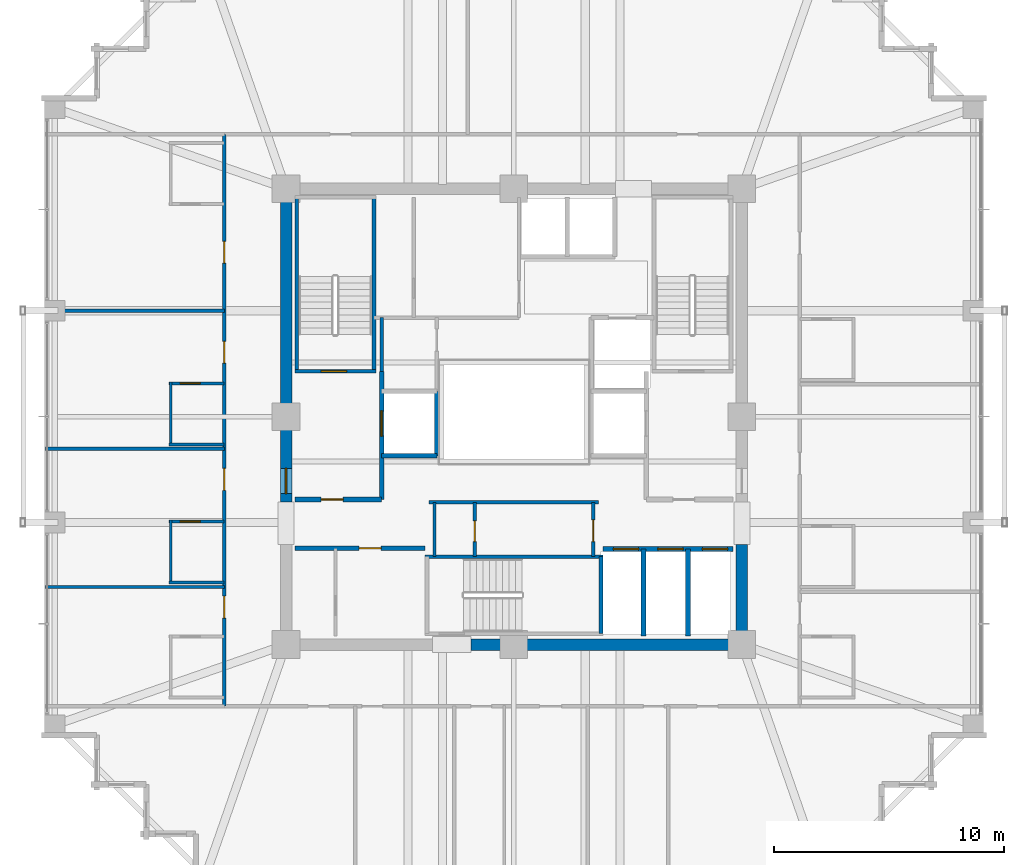
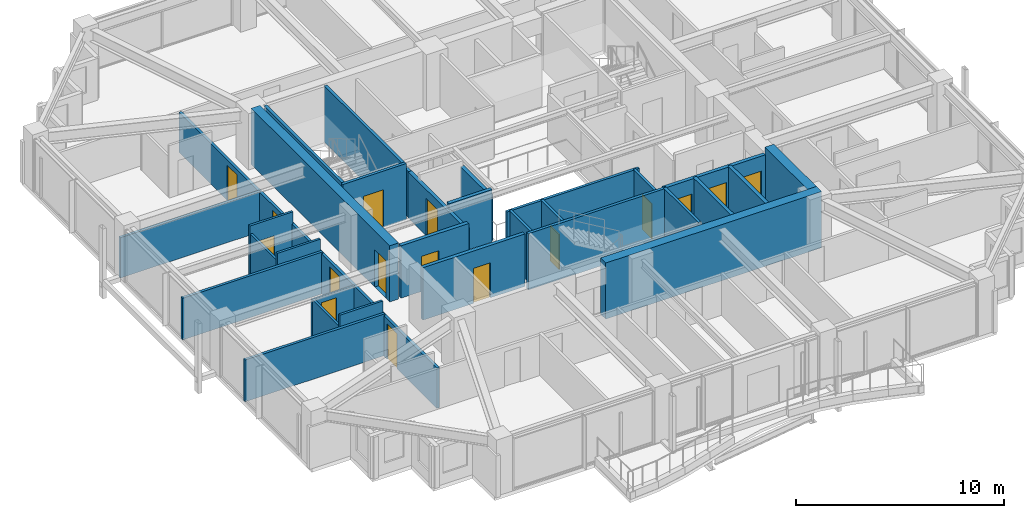
# One storey, part 32 of 37: 31 walls, 16 doors, 16 openings.
"""IFC4 building model written with IfcOpenShell, lengths in metres."""

from ifc_helpers import new_model, si_unit, direction, frame, frame_2d, origin, place, context, subcontext, project, spatial, rectangle, extrude, material, layer, layer_set, type_object, element, fill, save


model = new_model("IFC4")

# Units and contexts
model_context = context("Model", 3, precision=1e-05, world=origin(), true_north=direction((0.0, 1.0)))
body_context = subcontext(model_context, "Body", "Model", "MODEL_VIEW")
ifc_project = project(units=[si_unit("LENGTHUNIT", "METRE"), si_unit("AREAUNIT", "SQUARE_METRE"), si_unit("VOLUMEUNIT", "CUBIC_METRE"), si_unit("PLANEANGLEUNIT", "RADIAN"), si_unit("MASSUNIT", "GRAM", prefix="KILO")], contexts=[model_context])

# Site, building, storey
site_placement = place(None, origin())
site = spatial("IfcSite", under=ifc_project, at=site_placement, CompositionType="ELEMENT")
building_placement = place(site_placement, origin())
building = spatial("IfcBuilding", under=site, at=building_placement, Name="Kolvaren Belvedere", CompositionType="ELEMENT")
storey_placement = place(building_placement, frame((0.0, 0.0, 173.39990234375)))
storey = spatial("IfcBuildingStorey", under=building, at=storey_placement, Name="L50", CompositionType="ELEMENT", Elevation=173.39990234375)

# Walls
ifc_material_1 = material(Name="Concrete C50/60", Category="concrete")
ifc_layer_1 = layer(ifc_material_1, 0.5)
ifc_layer_set_1 = layer_set([ifc_layer_1], Name="Concrete C50/60")
wall_type_1 = type_object("IfcWallType", Name="CW-CORE-500", PredefinedType="SHEAR", material=ifc_layer_set_1)
wall_1_placement = place(storey_placement, frame((10.14990234375, -9.89990234375, 0.0), z_axis=(0.0, 0.0, 1.0), x_axis=(-1.0, 0.0, 0.0)))
element("IfcWall", 1, at=wall_1_placement, inside=storey, type_object=wall_type_1, Name="L50 South Core Shear Wall 1", PredefinedType="SHEAR", context=body_context, shape_type="SweptSolid", body=[
    extrude(rectangle(XDim=12.010009765625, YDim=0.5, at=frame_2d((6.0048828125, 0.0))), origin(), (0.0, 0.0, 1.0), 3.300048828125),
])
wall_2_placement = place(storey_placement, frame((9.89990234375, -9.64990234375, 0.0), z_axis=(0.0, 0.0, 1.0), x_axis=(0.0, 1.0, 0.0)))
element("IfcWall", 2, at=wall_2_placement, inside=storey, type_object=wall_type_1, Name="L50 East Core Shear Wall 1", PredefinedType="SHEAR", context=body_context, shape_type="SweptSolid", body=[
    extrude(rectangle(XDim=4.099853515625, YDim=0.5, at=frame_2d((2.0498046875, 0.0))), origin(), (0.0, 0.0, 1.0), 3.300048828125),
])

# Wall, opening, door
wall_3_placement = place(storey_placement, frame((-9.89990234375, -3.699951171875, 0.0), z_axis=(0.0, 0.0, 1.0), x_axis=(0.0, 1.0, 0.0)))
wall_3 = element("IfcWall", 3, at=wall_3_placement, inside=storey, type_object=wall_type_1, Name="L50 West Core Shear Wall 2", PredefinedType="SHEAR", context=body_context, shape_type="SweptSolid", body=[
    extrude(rectangle(XDim=13.349853515625, YDim=0.5, at=frame_2d((6.6748046875, 0.0))), origin(), (0.0, 0.0, 1.0), 3.300048828125),
])
opening_1_placement = place(wall_3_placement, frame((0.35009765625, 0.0, 0.0)))
opening_1 = element("IfcOpeningElement", 4, at=opening_1_placement, cuts=wall_3, Name="Opening D-FD90", PredefinedType="OPENING", context=body_context, shape_type="SweptSolid", body=[
    extrude(rectangle(XDim=1.10009765625, YDim=2.199951171875, at=frame_2d((0.550048828125, 1.10009765625))), frame((0.0, 0.260009765625, 0.0), z_axis=(0.0, -1.0, 0.0), x_axis=(1.0, 0.0, 0.0)), (0.0, 0.0, 1.0), 0.52001953125),
])
ifc_material_2 = material(Name="Painted hollow stainless steel", Category="steel")
door_type_1 = type_object("IfcDoorType", Name="DR-FD90-1100", OperationType="NOTDEFINED", PredefinedType="DOOR", material=ifc_material_2)
door_1_placement = place(opening_1_placement, origin())
door_1 = element("IfcDoor", 5, at=door_1_placement, inside=storey, type_object=door_type_1, Name="L50 West Firefighting Lobby Fire Door", OperationType="SINGLE_SWING_LEFT", OverallHeight=2.199951171875, OverallWidth=1.10009765625, PredefinedType="DOOR", context=body_context, shape_type="SweptSolid", body=[
    extrude(rectangle(XDim=1.10009765625, YDim=2.199951171875, at=frame_2d((0.550048828125, 1.10009765625))), frame((0.0, 0.02490234375, 0.0), z_axis=(0.0, -1.0, 0.0), x_axis=(1.0, 0.0, 0.0)), (0.0, 0.0, 1.0), 0.050048828125),
])
fill(opening_1, door_1)

ifc_material_3 = material(Name="Concrete C50/60", Category="concrete")
ifc_layer_2 = layer(ifc_material_3, 0.159912109375)
ifc_layer_set_2 = layer_set([ifc_layer_2], Name="Concrete C50/60")
wall_type_2 = type_object("IfcWallType", Name="CW-STAIR-160", PredefinedType="SHEAR", material=ifc_layer_set_2)
wall_4_placement = place(storey_placement, frame((-9.52001953125, 1.969970703125, 0.0), z_axis=(0.0, 0.0, 1.0), x_axis=(1.0, 0.0, 0.0)))
wall_4 = element("IfcWall", 6, at=wall_4_placement, inside=storey, type_object=wall_type_2, Name="L50 Stair ST-1 South Shear Wall", PredefinedType="SHEAR", context=body_context, shape_type="SweptSolid", body=[
    extrude(rectangle(XDim=3.52001953125, YDim=0.159912109375, at=frame_2d((1.760009765625, 0.0))), origin(), (0.0, 0.0, 1.0), 3.300048828125),
])
opening_2_placement = place(wall_4_placement, frame((1.14990234375, 0.0, 0.0)))
opening_2 = element("IfcOpeningElement", 7, at=opening_2_placement, cuts=wall_4, Name="Opening D-FD90", PredefinedType="OPENING", context=body_context, shape_type="SweptSolid", body=[
    extrude(rectangle(XDim=1.10009765625, YDim=2.199951171875, at=frame_2d((0.550048828125, 1.10009765625))), frame((0.0, 0.08984375, 0.0), z_axis=(0.0, -1.0, 0.0), x_axis=(1.0, 0.0, 0.0)), (0.0, 0.0, 1.0), 0.179931640625),
])
door_2_placement = place(opening_2_placement, origin())
door_2 = element("IfcDoor", 8, at=door_2_placement, inside=storey, type_object=door_type_1, Name="L50 Stair ST-1 Fire Door", OperationType="SINGLE_SWING_LEFT", OverallHeight=2.199951171875, OverallWidth=1.10009765625, PredefinedType="DOOR", context=body_context, shape_type="SweptSolid", body=[
    extrude(rectangle(XDim=1.10009765625, YDim=2.199951171875, at=frame_2d((0.550048828125, 1.10009765625))), frame((0.0, 0.02490234375, 0.0), z_axis=(0.0, -1.0, 0.0), x_axis=(1.0, 0.0, 0.0)), (0.0, 0.0, 1.0), 0.050048828125),
])
fill(opening_2, door_2)

# Walls
for number, where, z_axis, x_axis, name in (
    (9, (-9.429931640625, 1.969970703125, 0.0), (0.0, 0.0, 1.0), (0.0, 1.0, 0.0), "L50 Stair ST-1 West Shear Wall"),
    (10, (-6.080078125, 1.969970703125, 0.0), (0.0, 0.0, 1.0), (0.0, 1.0, 0.0), "L50 Stair ST-1 East Shear Wall"),
):
    element("IfcWall", number, at=place(storey_placement, frame(where, z_axis=z_axis, x_axis=x_axis)), inside=storey, type_object=wall_type_2, Name=name, PredefinedType="SHEAR", context=body_context, shape_type="SweptSolid", body=[
        extrude(rectangle(XDim=7.56005859375, YDim=0.159912109375, at=frame_2d((3.780029296875, 0.0))), origin(), (0.0, 0.0, 1.0), 3.300048828125),
    ])
wall_5_placement = place(storey_placement, frame((-3.860107421875, -6.080078125, 0.0), z_axis=(0.0, 0.0, 1.0), x_axis=(1.0, 0.0, 0.0)))
element("IfcWall", 11, at=wall_5_placement, inside=storey, type_object=wall_type_2, Name="L50 Stair ST-3 North Shear Wall", PredefinedType="SHEAR", context=body_context, shape_type="SweptSolid", body=[
    extrude(rectangle(XDim=7.72021484375, YDim=0.159912109375, at=frame_2d((3.860107421875, 0.0))), origin(), (0.0, 0.0, 1.0), 3.300048828125),
])
wall_6_placement = place(storey_placement, frame((3.780029296875, -9.429931640625, 0.0), z_axis=(0.0, 0.0, 1.0), x_axis=(0.0, 1.0, 0.0)))
element("IfcWall", 12, at=wall_6_placement, inside=storey, type_object=wall_type_2, Name="L50 Stair ST-3 East Shear Wall", PredefinedType="SHEAR", context=body_context, shape_type="SweptSolid", body=[
    extrude(rectangle(XDim=3.349853515625, YDim=0.159912109375, at=frame_2d((1.6748046875, 0.0))), origin(), (0.0, 0.0, 1.0), 3.300048828125),
])

# Wall, openings, doors
ifc_material_4 = material(Name="Gypsum fire-rated partition assembly", Category="gypsum")
ifc_layer_3 = layer(ifc_material_4, 0.14990234375)
ifc_layer_set_3 = layer_set([ifc_layer_3], Name="Gypsum fire-rated partition assembly")
wall_type_3 = type_object("IfcWallType", Name="WL-CORR-150", PredefinedType="PARTITIONING", material=ifc_layer_set_3)
wall_7_placement = place(storey_placement, frame((-12.580078125, -12.580078125, 0.0), z_axis=(0.0, 0.0, 1.0), x_axis=(0.0, 1.0, 0.0)))
wall_7 = element("IfcWall", 13, at=wall_7_placement, inside=storey, type_object=wall_type_3, Name="L50 West Corridor Wall", PredefinedType="PARTITIONING", context=body_context, shape_type="SweptSolid", body=[
    extrude(rectangle(XDim=24.840087890625, YDim=0.14990234375, at=frame_2d((12.419921875, 0.0))), origin(), (0.0, 0.0, 1.0), 2.369140625),
])
opening_3_placement = place(wall_7_placement, frame((3.831298828125, 0.0, 0.0)))
opening_3 = element("IfcOpeningElement", 14, at=opening_3_placement, cuts=wall_7, Name="Opening D-FD60", PredefinedType="OPENING", context=body_context, shape_type="SweptSolid", body=[
    extrude(rectangle(XDim=0.949951171875, YDim=2.06005859375, at=frame_2d((0.47509765625, 1.030029296875))), frame((0.0, 0.0849609375, 0.0), z_axis=(0.0, -1.0, 0.0), x_axis=(1.0, 0.0, 0.0)), (0.0, 0.0, 1.0), 0.169921875),
])
opening_4_placement = place(wall_7_placement, frame((9.378173828125, 0.0, 0.0)))
opening_4 = element("IfcOpeningElement", 15, at=opening_4_placement, cuts=wall_7, Name="Opening D-FD60", PredefinedType="OPENING", context=body_context, shape_type="SweptSolid", body=[
    extrude(rectangle(XDim=0.949951171875, YDim=2.06005859375, at=frame_2d((0.47509765625, 1.030029296875))), frame((0.0, 0.0849609375, 0.0), z_axis=(0.0, -1.0, 0.0), x_axis=(1.0, 0.0, 0.0)), (0.0, 0.0, 1.0), 0.169921875),
])
opening_5_placement = place(wall_7_placement, frame((14.902587890625, 0.0, 0.0)))
opening_5 = element("IfcOpeningElement", 16, at=opening_5_placement, cuts=wall_7, Name="Opening D-FD60", PredefinedType="OPENING", context=body_context, shape_type="SweptSolid", body=[
    extrude(rectangle(XDim=0.949951171875, YDim=2.06005859375, at=frame_2d((0.47509765625, 1.030029296875))), frame((0.0, 0.0849609375, 0.0), z_axis=(0.0, -1.0, 0.0), x_axis=(1.0, 0.0, 0.0)), (0.0, 0.0, 1.0), 0.169921875),
])
opening_6_placement = place(wall_7_placement, frame((19.24560546875, 0.0, 0.0)))
opening_6 = element("IfcOpeningElement", 17, at=opening_6_placement, cuts=wall_7, Name="Opening D-FD60", PredefinedType="OPENING", context=body_context, shape_type="SweptSolid", body=[
    extrude(rectangle(XDim=0.949951171875, YDim=2.06005859375, at=frame_2d((0.47509765625, 1.030029296875))), frame((0.0, 0.0849609375, 0.0), z_axis=(0.0, -1.0, 0.0), x_axis=(1.0, 0.0, 0.0)), (0.0, 0.0, 1.0), 0.169921875),
])
ifc_material_5 = material(Name="Acoustic white-oak fire door leaf", Category="timber")
door_type_2 = type_object("IfcDoorType", Name="DR-FD60-950", OperationType="NOTDEFINED", PredefinedType="DOOR", material=ifc_material_5)
door_3_placement = place(opening_3_placement, origin())
door_3 = element("IfcDoor", 18, at=door_3_placement, inside=storey, type_object=door_type_2, Name="L50 King Guest Room 5008 Entry Door", OperationType="SINGLE_SWING_LEFT", OverallHeight=2.06005859375, OverallWidth=0.949951171875, PredefinedType="DOOR", context=body_context, shape_type="SweptSolid", body=[
    extrude(rectangle(XDim=0.949951171875, YDim=2.06005859375, at=frame_2d((0.47509765625, 1.030029296875))), frame((0.0, 0.02490234375, 0.0), z_axis=(0.0, -1.0, 0.0), x_axis=(1.0, 0.0, 0.0)), (0.0, 0.0, 1.0), 0.050048828125),
])
fill(opening_3, door_3)
door_4_placement = place(opening_4_placement, origin())
door_4 = element("IfcDoor", 19, at=door_4_placement, inside=storey, type_object=door_type_2, Name="L50 Botanical Hospitality Suite 5009 Entry Door", OperationType="SINGLE_SWING_LEFT", OverallHeight=2.06005859375, OverallWidth=0.949951171875, PredefinedType="DOOR", context=body_context, shape_type="SweptSolid", body=[
    extrude(rectangle(XDim=0.949951171875, YDim=2.06005859375, at=frame_2d((0.47509765625, 1.030029296875))), frame((0.0, 0.02490234375, 0.0), z_axis=(0.0, -1.0, 0.0), x_axis=(1.0, 0.0, 0.0)), (0.0, 0.0, 1.0), 0.050048828125),
])
fill(opening_4, door_4)
door_5_placement = place(opening_5_placement, origin())
door_5 = element("IfcDoor", 20, at=door_5_placement, inside=storey, type_object=door_type_2, Name="L50 King Guest Room 5010 Entry Door", OperationType="SINGLE_SWING_LEFT", OverallHeight=2.06005859375, OverallWidth=0.949951171875, PredefinedType="DOOR", context=body_context, shape_type="SweptSolid", body=[
    extrude(rectangle(XDim=0.949951171875, YDim=2.06005859375, at=frame_2d((0.47509765625, 1.030029296875))), frame((0.0, 0.02490234375, 0.0), z_axis=(0.0, -1.0, 0.0), x_axis=(1.0, 0.0, 0.0)), (0.0, 0.0, 1.0), 0.050048828125),
])
fill(opening_5, door_5)
door_6_placement = place(opening_6_placement, origin())
door_6 = element("IfcDoor", 21, at=door_6_placement, inside=storey, type_object=door_type_2, Name="L50 Botanical Hospitality Suite 5011 Entry Door", OperationType="SINGLE_SWING_LEFT", OverallHeight=2.06005859375, OverallWidth=0.949951171875, PredefinedType="DOOR", context=body_context, shape_type="SweptSolid", body=[
    extrude(rectangle(XDim=0.949951171875, YDim=2.06005859375, at=frame_2d((0.47509765625, 1.030029296875))), frame((0.0, 0.02490234375, 0.0), z_axis=(0.0, -1.0, 0.0), x_axis=(1.0, 0.0, 0.0)), (0.0, 0.0, 1.0), 0.050048828125),
])
fill(opening_6, door_6)

# Wall
ifc_material_6 = material(Name="Gypsum acoustic partition assembly", Category="gypsum")
ifc_layer_4 = layer(ifc_material_6, 0.14990234375)
ifc_layer_set_4 = layer_set([ifc_layer_4], Name="Gypsum acoustic partition assembly")
wall_type_4 = type_object("IfcWallType", Name="WL-PART-150", PredefinedType="PARTITIONING", material=ifc_layer_set_4)
wall_8_placement = place(storey_placement, frame((-3.679931640625, -3.719970703125, 0.0), z_axis=(0.0, 0.0, 1.0), x_axis=(1.0, 0.0, 0.0)))
element("IfcWall", 22, at=wall_8_placement, inside=storey, type_object=wall_type_4, Name="L50 South Core Service North Wall", PredefinedType="PARTITIONING", context=body_context, shape_type="SweptSolid", body=[
    extrude(rectangle(XDim=7.35986328125, YDim=0.14990234375, at=frame_2d((3.679931640625, 0.0))), origin(), (0.0, 0.0, 1.0), 3.080078125),
])

# Wall, opening, door
wall_9_placement = place(storey_placement, frame((3.449951171875, -6.080078125, 0.0), z_axis=(0.0, 0.0, 1.0), x_axis=(0.0, 1.0, 0.0)))
wall_9 = element("IfcWall", 23, at=wall_9_placement, inside=storey, type_object=wall_type_4, Name="L50 South Core Service East Wall", PredefinedType="PARTITIONING", context=body_context, shape_type="SweptSolid", body=[
    extrude(rectangle(XDim=2.360107421875, YDim=0.14990234375, at=frame_2d((1.18017578125, 0.0))), origin(), (0.0, 0.0, 1.0), 3.080078125),
])
opening_7_placement = place(wall_9_placement, frame((0.64990234375, 0.0, 0.0)))
opening_7 = element("IfcOpeningElement", 24, at=opening_7_placement, cuts=wall_9, Name="Opening D-FD60", PredefinedType="OPENING", context=body_context, shape_type="SweptSolid", body=[
    extrude(rectangle(XDim=0.949951171875, YDim=2.06005859375, at=frame_2d((0.47509765625, 1.030029296875))), frame((0.0, 0.0849609375, 0.0), z_axis=(0.0, -1.0, 0.0), x_axis=(1.0, 0.0, 0.0)), (0.0, 0.0, 1.0), 0.169921875),
])
door_7_placement = place(opening_7_placement, origin())
door_7 = element("IfcDoor", 25, at=door_7_placement, inside=storey, type_object=door_type_2, Name="L50 Core Service Room Door", OperationType="SINGLE_SWING_LEFT", OverallHeight=2.06005859375, OverallWidth=0.949951171875, PredefinedType="DOOR", context=body_context, shape_type="SweptSolid", body=[
    extrude(rectangle(XDim=0.949951171875, YDim=2.06005859375, at=frame_2d((0.47509765625, 1.030029296875))), frame((0.0, 0.02490234375, 0.0), z_axis=(0.0, -1.0, 0.0), x_axis=(1.0, 0.0, 0.0)), (0.0, 0.0, 1.0), 0.050048828125),
])
fill(opening_7, door_7)

# Wall
wall_10_placement = place(storey_placement, frame((-3.449951171875, -6.080078125, 0.0), z_axis=(0.0, 0.0, 1.0), x_axis=(0.0, 1.0, 0.0)))
element("IfcWall", 26, at=wall_10_placement, inside=storey, type_object=wall_type_4, Name="L50 South Core Service West Wall", PredefinedType="PARTITIONING", context=body_context, shape_type="SweptSolid", body=[
    extrude(rectangle(XDim=2.360107421875, YDim=0.14990234375, at=frame_2d((1.18017578125, 0.0))), origin(), (0.0, 0.0, 1.0), 3.080078125),
])

# Wall, opening, door
wall_11_placement = place(storey_placement, frame((-1.699951171875, -6.080078125, 0.0), z_axis=(0.0, 0.0, 1.0), x_axis=(0.0, 1.0, 0.0)))
wall_11 = element("IfcWall", 27, at=wall_11_placement, inside=storey, type_object=wall_type_4, Name="L50 Core Service Divider", PredefinedType="PARTITIONING", context=body_context, shape_type="SweptSolid", body=[
    extrude(rectangle(XDim=2.360107421875, YDim=0.14990234375, at=frame_2d((1.18017578125, 0.0))), origin(), (0.0, 0.0, 1.0), 3.080078125),
])
opening_8_placement = place(wall_11_placement, frame((0.64990234375, 0.0, 0.0)))
opening_8 = element("IfcOpeningElement", 28, at=opening_8_placement, cuts=wall_11, Name="Opening D-INT90", PredefinedType="OPENING", context=body_context, shape_type="SweptSolid", body=[
    extrude(rectangle(XDim=0.89990234375, YDim=2.06005859375, at=frame_2d((0.449951171875, 1.030029296875))), frame((0.0, 0.0849609375, 0.0), z_axis=(0.0, -1.0, 0.0), x_axis=(1.0, 0.0, 0.0)), (0.0, 0.0, 1.0), 0.169921875),
])
ifc_material_7 = material(Name="Stained Pacific white oak", Category="timber")
door_type_3 = type_object("IfcDoorType", Name="DR-INT-900", OperationType="NOTDEFINED", PredefinedType="DOOR", material=ifc_material_7)
door_8_placement = place(opening_8_placement, origin())
door_8 = element("IfcDoor", 29, at=door_8_placement, inside=storey, type_object=door_type_3, Name="L50 Telecom Inner Door", OperationType="SINGLE_SWING_RIGHT", OverallHeight=2.06005859375, OverallWidth=0.89990234375, PredefinedType="DOOR", context=body_context, shape_type="SweptSolid", body=[
    extrude(rectangle(XDim=0.89990234375, YDim=2.06005859375, at=frame_2d((0.449951171875, 1.030029296875))), frame((0.0, 0.02490234375, 0.0), z_axis=(0.0, -1.0, 0.0), x_axis=(1.0, 0.0, 0.0)), (0.0, 0.0, 1.0), 0.050048828125),
])
fill(opening_8, door_8)

# Walls
wall_12_placement = place(storey_placement, frame((-5.75, 1.969970703125, 0.0), z_axis=(0.0, 0.0, 1.0), x_axis=(0.0, 1.0, 0.0)))
element("IfcWall", 30, at=wall_12_placement, inside=storey, type_object=wall_type_4, Name="L50 NW Service Room West Wall", PredefinedType="PARTITIONING", context=body_context, shape_type="SweptSolid", body=[
    extrude(rectangle(XDim=2.330078125, YDim=0.14990234375, at=frame_2d((1.1650390625, 0.0))), origin(), (0.0, 0.0, 1.0), 2.715087890625),
])
for number, where, z_axis, x_axis, name in (
    (31, (-20.3798828125, -7.39990234375, 0.0), (0.0, 0.0, 1.0), (1.0, 0.0, 0.0), "L50 West Suite Demising Wall 1"),
    (32, (-20.3798828125, -1.39990234375, 0.0), (0.0, 0.0, 1.0), (1.0, 0.0, 0.0), "L50 West Suite Demising Wall 2"),
):
    element("IfcWall", number, at=place(storey_placement, frame(where, z_axis=z_axis, x_axis=x_axis)), inside=storey, type_object=wall_type_4, Name=name, PredefinedType="PARTITIONING", context=body_context, shape_type="SweptSolid", body=[
        extrude(rectangle(XDim=7.7998046875, YDim=0.14990234375, at=frame_2d((3.89990234375, 0.0))), origin(), (0.0, 0.0, 1.0), 2.453125),
    ])
wall_13_placement = place(storey_placement, frame((-20.3798828125, 4.60009765625, 0.0), z_axis=(0.0, 0.0, 1.0), x_axis=(1.0, 0.0, 0.0)))
element("IfcWall", 33, at=wall_13_placement, inside=storey, type_object=wall_type_4, Name="L50 West Suite Demising Wall 3", PredefinedType="PARTITIONING", context=body_context, shape_type="SweptSolid", body=[
    extrude(rectangle(XDim=7.7998046875, YDim=0.14990234375, at=frame_2d((3.89990234375, 0.0))), origin(), (0.0, 0.0, 1.0), 2.369140625),
])

# Wall, opening, door
ifc_material_8 = material(Name="Concrete C50/60", Category="concrete")
ifc_layer_5 = layer(ifc_material_8, 0.199951171875)
ifc_layer_set_5 = layer_set([ifc_layer_5], Name="Concrete C50/60")
wall_type_5 = type_object("IfcWallType", Name="WL-SHAFT-200", PredefinedType="SOLIDWALL", material=ifc_layer_set_5)
wall_14_placement = place(storey_placement, frame((-9.52001953125, -3.60009765625, 0.0), z_axis=(0.0, 0.0, 1.0), x_axis=(1.0, 0.0, 0.0)))
wall_14 = element("IfcWall", 34, at=wall_14_placement, inside=storey, type_object=wall_type_5, Name="L50 West FSAE Lobby South Wall", PredefinedType="SOLIDWALL", context=body_context, shape_type="SweptSolid", body=[
    extrude(rectangle(XDim=3.77001953125, YDim=0.199951171875, at=frame_2d((1.885009765625, 0.0))), origin(), (0.0, 0.0, 1.0), 3.080078125),
])
opening_9_placement = place(wall_14_placement, frame((1.14990234375, 0.0, 0.0)))
opening_9 = element("IfcOpeningElement", 35, at=opening_9_placement, cuts=wall_14, Name="Opening D-FD60", PredefinedType="OPENING", context=body_context, shape_type="SweptSolid", body=[
    extrude(rectangle(XDim=0.949951171875, YDim=2.06005859375, at=frame_2d((0.47509765625, 1.030029296875))), frame((0.0, 0.10986328125, 0.0), z_axis=(0.0, -1.0, 0.0), x_axis=(1.0, 0.0, 0.0)), (0.0, 0.0, 1.0), 0.219970703125),
])
door_9_placement = place(opening_9_placement, origin())
door_9 = element("IfcDoor", 36, at=door_9_placement, inside=storey, type_object=door_type_2, Name="L50 SW Lobby Fire Door", OperationType="SINGLE_SWING_LEFT", OverallHeight=2.06005859375, OverallWidth=0.949951171875, PredefinedType="DOOR", context=body_context, shape_type="SweptSolid", body=[
    extrude(rectangle(XDim=0.949951171875, YDim=2.06005859375, at=frame_2d((0.47509765625, 1.030029296875))), frame((0.0, 0.02490234375, 0.0), z_axis=(0.0, -1.0, 0.0), x_axis=(1.0, 0.0, 0.0)), (0.0, 0.0, 1.0), 0.050048828125),
])
fill(opening_9, door_9)

wall_15_placement = place(storey_placement, frame((-5.75, -3.60009765625, 0.0), z_axis=(0.0, 0.0, 1.0), x_axis=(0.0, 1.0, 0.0)))
wall_15 = element("IfcWall", 37, at=wall_15_placement, inside=storey, type_object=wall_type_5, Name="L50 FSAE FS1 Landing Wall", PredefinedType="SOLIDWALL", context=body_context, shape_type="SweptSolid", body=[
    extrude(rectangle(XDim=5.570068359375, YDim=0.199951171875, at=frame_2d((2.78515625, 0.0))), origin(), (0.0, 0.0, 1.0), 2.715087890625),
])
opening_10_placement = place(wall_15_placement, frame((2.75, 0.0, 0.0)))
opening_10 = element("IfcOpeningElement", 38, at=opening_10_placement, cuts=wall_15, Name="Opening LD-11", PredefinedType="OPENING", context=body_context, shape_type="SweptSolid", body=[
    extrude(rectangle(XDim=1.10009765625, YDim=2.199951171875, at=frame_2d((0.550048828125, 1.10009765625))), frame((0.0, 0.10986328125, 0.0), z_axis=(0.0, -1.0, 0.0), x_axis=(1.0, 0.0, 0.0)), (0.0, 0.0, 1.0), 0.219970703125),
])
ifc_material_9 = material(Name="Brushed stainless steel", Category="steel")
door_type_4 = type_object("IfcDoorType", Name="DR-LIFT-1100", OperationType="DOUBLE_DOOR_SLIDING", PredefinedType="DOOR", material=ifc_material_9)
door_10_placement = place(opening_10_placement, origin())
door_10 = element("IfcDoor", 39, at=door_10_placement, inside=storey, type_object=door_type_4, Name="L50 Firefighting Lift FS1 Landing Door", OperationType="DOUBLE_DOOR_SLIDING", OverallHeight=2.199951171875, OverallWidth=1.10009765625, PredefinedType="DOOR", context=body_context, shape_type="SweptSolid", body=[
    extrude(rectangle(XDim=1.10009765625, YDim=2.199951171875, at=frame_2d((0.550048828125, 1.10009765625))), frame((0.0, 0.02490234375, 0.0), z_axis=(0.0, -1.0, 0.0), x_axis=(1.0, 0.0, 0.0)), (0.0, 0.0, 1.0), 0.050048828125),
])
fill(opening_10, door_10)

# Walls
wall_16_placement = place(storey_placement, frame((-3.35009765625, -1.699951171875, 0.0), z_axis=(0.0, 0.0, 1.0), x_axis=(0.0, 1.0, 0.0)))
element("IfcWall", 40, at=wall_16_placement, inside=storey, type_object=wall_type_5, Name="L50 FSAE FS1 Back Wall", PredefinedType="SOLIDWALL", context=body_context, shape_type="SweptSolid", body=[
    extrude(rectangle(XDim=2.800048828125, YDim=0.199951171875, at=frame_2d((1.39990234375, 0.0))), origin(), (0.0, 0.0, 1.0), 2.715087890625),
])
wall_17_placement = place(storey_placement, frame((-5.75, -1.699951171875, 0.0), z_axis=(0.0, 0.0, 1.0), x_axis=(1.0, 0.0, 0.0)))
element("IfcWall", 41, at=wall_17_placement, inside=storey, type_object=wall_type_5, Name="L50 FSAE FS1 South Wall", PredefinedType="SOLIDWALL", context=body_context, shape_type="SweptSolid", body=[
    extrude(rectangle(XDim=2.39990234375, YDim=0.199951171875, at=frame_2d((1.199951171875, 0.0))), origin(), (0.0, 0.0, 1.0), 3.080078125),
])

# Wall, opening, door
wall_18_placement = place(storey_placement, frame((-9.52001953125, -5.719970703125, 0.0), z_axis=(0.0, 0.0, 1.0), x_axis=(1.0, 0.0, 0.0)))
wall_18 = element("IfcWall", 42, at=wall_18_placement, inside=storey, type_object=wall_type_5, Name="L50 Reclaimed Mid Room North Wall", PredefinedType="SOLIDWALL", context=body_context, shape_type="SweptSolid", body=[
    extrude(rectangle(XDim=5.659912109375, YDim=0.199951171875, at=frame_2d((2.830078125, 0.0))), origin(), (0.0, 0.0, 1.0), 3.080078125),
])
opening_11_placement = place(wall_18_placement, frame((2.800048828125, 0.0, 0.0)))
opening_11 = element("IfcOpeningElement", 43, at=opening_11_placement, cuts=wall_18, Name="Opening D-FD60", PredefinedType="OPENING", context=body_context, shape_type="SweptSolid", body=[
    extrude(rectangle(XDim=0.949951171875, YDim=2.06005859375, at=frame_2d((0.47509765625, 1.030029296875))), frame((0.0, 0.10986328125, 0.0), z_axis=(0.0, -1.0, 0.0), x_axis=(1.0, 0.0, 0.0)), (0.0, 0.0, 1.0), 0.219970703125),
])
door_11_placement = place(opening_11_placement, origin())
door_11 = element("IfcDoor", 44, at=door_11_placement, inside=storey, type_object=door_type_2, Name="L50 Reading Lounge Door", OperationType="SINGLE_SWING_LEFT", OverallHeight=2.06005859375, OverallWidth=0.949951171875, PredefinedType="DOOR", context=body_context, shape_type="SweptSolid", body=[
    extrude(rectangle(XDim=0.949951171875, YDim=2.06005859375, at=frame_2d((0.47509765625, 1.030029296875))), frame((0.0, 0.02490234375, 0.0), z_axis=(0.0, -1.0, 0.0), x_axis=(1.0, 0.0, 0.0)), (0.0, 0.0, 1.0), 0.050048828125),
])
fill(opening_11, door_11)

# Wall, openings, doors
wall_19_placement = place(storey_placement, frame((3.860107421875, -5.75, 0.0), z_axis=(0.0, 0.0, 1.0), x_axis=(1.0, 0.0, 0.0)))
wall_19 = element("IfcWall", 45, at=wall_19_placement, inside=storey, type_object=wall_type_5, Name="L50 High-Rise Lift Bank Front Wall", PredefinedType="SOLIDWALL", context=body_context, shape_type="SweptSolid", body=[
    extrude(rectangle(XDim=5.659912109375, YDim=0.199951171875, at=frame_2d((2.830078125, 0.0))), origin(), (0.0, 0.0, 1.0), 3.080078125),
])
opening_12_placement = place(wall_19_placement, frame((0.4599609375, 0.0, 0.0)))
opening_12 = element("IfcOpeningElement", 46, at=opening_12_placement, cuts=wall_19, Name="Opening LD-11", PredefinedType="OPENING", context=body_context, shape_type="SweptSolid", body=[
    extrude(rectangle(XDim=1.10009765625, YDim=2.199951171875, at=frame_2d((0.550048828125, 1.10009765625))), frame((0.0, 0.10986328125, 0.0), z_axis=(0.0, -1.0, 0.0), x_axis=(1.0, 0.0, 0.0)), (0.0, 0.0, 1.0), 0.219970703125),
])
opening_13_placement = place(wall_19_placement, frame((2.389892578125, 0.0, 0.0)))
opening_13 = element("IfcOpeningElement", 47, at=opening_13_placement, cuts=wall_19, Name="Opening LD-11", PredefinedType="OPENING", context=body_context, shape_type="SweptSolid", body=[
    extrude(rectangle(XDim=1.10009765625, YDim=2.199951171875, at=frame_2d((0.550048828125, 1.10009765625))), frame((0.0, 0.10986328125, 0.0), z_axis=(0.0, -1.0, 0.0), x_axis=(1.0, 0.0, 0.0)), (0.0, 0.0, 1.0), 0.219970703125),
])
opening_14_placement = place(wall_19_placement, frame((4.320068359375, 0.0, 0.0)))
opening_14 = element("IfcOpeningElement", 48, at=opening_14_placement, cuts=wall_19, Name="Opening LD-11", PredefinedType="OPENING", context=body_context, shape_type="SweptSolid", body=[
    extrude(rectangle(XDim=1.10009765625, YDim=2.199951171875, at=frame_2d((0.550048828125, 1.10009765625))), frame((0.0, 0.10986328125, 0.0), z_axis=(0.0, -1.0, 0.0), x_axis=(1.0, 0.0, 0.0)), (0.0, 0.0, 1.0), 0.219970703125),
])
door_12_placement = place(opening_12_placement, origin())
door_12 = element("IfcDoor", 49, at=door_12_placement, inside=storey, type_object=door_type_4, Name="L50 Passenger Lift P7 Landing Door", OperationType="DOUBLE_DOOR_SLIDING", OverallHeight=2.199951171875, OverallWidth=1.10009765625, PredefinedType="DOOR", context=body_context, shape_type="SweptSolid", body=[
    extrude(rectangle(XDim=1.10009765625, YDim=2.199951171875, at=frame_2d((0.550048828125, 1.10009765625))), frame((0.0, 0.02490234375, 0.0), z_axis=(0.0, -1.0, 0.0), x_axis=(1.0, 0.0, 0.0)), (0.0, 0.0, 1.0), 0.050048828125),
])
fill(opening_12, door_12)
door_13_placement = place(opening_13_placement, origin())
door_13 = element("IfcDoor", 50, at=door_13_placement, inside=storey, type_object=door_type_4, Name="L50 Passenger Lift P8 Landing Door", OperationType="DOUBLE_DOOR_SLIDING", OverallHeight=2.199951171875, OverallWidth=1.10009765625, PredefinedType="DOOR", context=body_context, shape_type="SweptSolid", body=[
    extrude(rectangle(XDim=1.10009765625, YDim=2.199951171875, at=frame_2d((0.550048828125, 1.10009765625))), frame((0.0, 0.02490234375, 0.0), z_axis=(0.0, -1.0, 0.0), x_axis=(1.0, 0.0, 0.0)), (0.0, 0.0, 1.0), 0.050048828125),
])
fill(opening_13, door_13)
door_14_placement = place(opening_14_placement, origin())
door_14 = element("IfcDoor", 51, at=door_14_placement, inside=storey, type_object=door_type_4, Name="L50 Passenger Lift P9 Landing Door", OperationType="DOUBLE_DOOR_SLIDING", OverallHeight=2.199951171875, OverallWidth=1.10009765625, PredefinedType="DOOR", context=body_context, shape_type="SweptSolid", body=[
    extrude(rectangle(XDim=1.10009765625, YDim=2.199951171875, at=frame_2d((0.550048828125, 1.10009765625))), frame((0.0, 0.02490234375, 0.0), z_axis=(0.0, -1.0, 0.0), x_axis=(1.0, 0.0, 0.0)), (0.0, 0.0, 1.0), 0.050048828125),
])
fill(opening_14, door_14)

# Walls
for number, where, z_axis, x_axis, name in (
    (52, (5.6298828125, -9.52001953125, 0.0), (0.0, 0.0, 1.0), (0.0, 1.0, 0.0), "L50 High-Rise Hoistway Divider 1"),
    (53, (7.56005859375, -9.52001953125, 0.0), (0.0, 0.0, 1.0), (0.0, 1.0, 0.0), "L50 High-Rise Hoistway Divider 2"),
):
    element("IfcWall", number, at=place(storey_placement, frame(where, z_axis=z_axis, x_axis=x_axis)), inside=storey, type_object=wall_type_5, Name=name, PredefinedType="SOLIDWALL", context=body_context, shape_type="SweptSolid", body=[
        extrude(rectangle(XDim=3.77001953125, YDim=0.199951171875, at=frame_2d((1.885009765625, 0.0))), origin(), (0.0, 0.0, 1.0), 3.080078125),
    ])

# Wall, opening, door
ifc_material_10 = material(Name="Moisture-resistant gypsum partition", Category="gypsum")
ifc_layer_6 = layer(ifc_material_10, 0.125)
ifc_layer_set_6 = layer_set([ifc_layer_6], Name="Moisture-resistant gypsum partition")
wall_type_6 = type_object("IfcWallType", Name="WL-WET-125", PredefinedType="PARTITIONING", material=ifc_layer_set_6)
wall_20_placement = place(storey_placement, frame((-14.985107421875, -4.554931640625, 0.0), z_axis=(0.0, 0.0, 1.0), x_axis=(1.0, 0.0, 0.0)))
wall_20 = element("IfcWall", 54, at=wall_20_placement, inside=storey, type_object=wall_type_6, Name="L50 Bathroom Partition PW-L50-BTH-9-N", PredefinedType="PARTITIONING", context=body_context, shape_type="SweptSolid", body=[
    extrude(rectangle(XDim=2.39013671875, YDim=0.125, at=frame_2d((1.195068359375, 0.0))), origin(), (0.0, 0.0, 1.0), 2.369140625),
])
opening_15_placement = place(wall_20_placement, frame((0.5, 0.0, 0.0)))
opening_15 = element("IfcOpeningElement", 55, at=opening_15_placement, cuts=wall_20, Name="Opening D-BTH85", PredefinedType="OPENING", context=body_context, shape_type="SweptSolid", body=[
    extrude(rectangle(XDim=0.85009765625, YDim=2.030029296875, at=frame_2d((0.425048828125, 1.01513671875))), frame((0.0, 0.072509765625, 0.0), z_axis=(0.0, -1.0, 0.0), x_axis=(1.0, 0.0, 0.0)), (0.0, 0.0, 1.0), 0.14501953125),
])
ifc_material_11 = material(Name="Moisture-sealed Pacific white oak", Category="timber")
door_type_5 = type_object("IfcDoorType", Name="DR-BATH-850", OperationType="NOTDEFINED", PredefinedType="DOOR", material=ifc_material_11)
door_15_placement = place(opening_15_placement, origin())
door_15 = element("IfcDoor", 56, at=door_15_placement, inside=storey, type_object=door_type_5, Name="L50 En-Suite Bathroom 5009 Door", OperationType="SINGLE_SWING_RIGHT", OverallHeight=2.030029296875, OverallWidth=0.85009765625, PredefinedType="DOOR", context=body_context, shape_type="SweptSolid", body=[
    extrude(rectangle(XDim=0.85009765625, YDim=2.030029296875, at=frame_2d((0.425048828125, 1.01513671875))), frame((0.0, 0.02490234375, 0.0), z_axis=(0.0, -1.0, 0.0), x_axis=(1.0, 0.0, 0.0)), (0.0, 0.0, 1.0), 0.050048828125),
])
fill(opening_15, door_15)

# Walls
wall_21_placement = place(storey_placement, frame((-14.905029296875, -7.264892578125, 0.0), z_axis=(0.0, 0.0, 1.0), x_axis=(0.0, 1.0, 0.0)))
element("IfcWall", 57, at=wall_21_placement, inside=storey, type_object=wall_type_6, Name="L50 Bathroom Partition PW-L50-BTH-9-V", PredefinedType="PARTITIONING", context=body_context, shape_type="SweptSolid", body=[
    extrude(rectangle(XDim=2.769775390625, YDim=0.125, at=frame_2d((1.384765625, 0.0))), origin(), (0.0, 0.0, 1.0), 2.369140625),
])
wall_22_placement = place(storey_placement, frame((-14.985107421875, -7.205078125, 0.0), z_axis=(0.0, 0.0, 1.0), x_axis=(1.0, 0.0, 0.0)))
element("IfcWall", 58, at=wall_22_placement, inside=storey, type_object=wall_type_6, Name="L50 Bathroom Partition PW-L50-BTH-9-S", PredefinedType="PARTITIONING", context=body_context, shape_type="SweptSolid", body=[
    extrude(rectangle(XDim=2.39013671875, YDim=0.125, at=frame_2d((1.195068359375, 0.0))), origin(), (0.0, 0.0, 1.0), 3.080078125),
])

# Wall, opening, door
wall_23_placement = place(storey_placement, frame((-14.985107421875, 1.445068359375, 0.0), z_axis=(0.0, 0.0, 1.0), x_axis=(1.0, 0.0, 0.0)))
wall_23 = element("IfcWall", 59, at=wall_23_placement, inside=storey, type_object=wall_type_6, Name="L50 Bathroom Partition PW-L50-BTH-10-N", PredefinedType="PARTITIONING", context=body_context, shape_type="SweptSolid", body=[
    extrude(rectangle(XDim=2.39013671875, YDim=0.125, at=frame_2d((1.195068359375, 0.0))), origin(), (0.0, 0.0, 1.0), 3.080078125),
])
opening_16_placement = place(wall_23_placement, frame((0.5, 0.0, 0.0)))
opening_16 = element("IfcOpeningElement", 60, at=opening_16_placement, cuts=wall_23, Name="Opening D-BTH85", PredefinedType="OPENING", context=body_context, shape_type="SweptSolid", body=[
    extrude(rectangle(XDim=0.85009765625, YDim=2.030029296875, at=frame_2d((0.425048828125, 1.01513671875))), frame((0.0, 0.072509765625, 0.0), z_axis=(0.0, -1.0, 0.0), x_axis=(1.0, 0.0, 0.0)), (0.0, 0.0, 1.0), 0.14501953125),
])
door_16_placement = place(opening_16_placement, origin())
door_16 = element("IfcDoor", 61, at=door_16_placement, inside=storey, type_object=door_type_5, Name="L50 En-Suite Bathroom 5010 Door", OperationType="SINGLE_SWING_RIGHT", OverallHeight=2.030029296875, OverallWidth=0.85009765625, PredefinedType="DOOR", context=body_context, shape_type="SweptSolid", body=[
    extrude(rectangle(XDim=0.85009765625, YDim=2.030029296875, at=frame_2d((0.425048828125, 1.01513671875))), frame((0.0, 0.02490234375, 0.0), z_axis=(0.0, -1.0, 0.0), x_axis=(1.0, 0.0, 0.0)), (0.0, 0.0, 1.0), 0.050048828125),
])
fill(opening_16, door_16)

# Walls
wall_24_placement = place(storey_placement, frame((-14.905029296875, -1.264892578125, 0.0), z_axis=(0.0, 0.0, 1.0), x_axis=(0.0, 1.0, 0.0)))
element("IfcWall", 62, at=wall_24_placement, inside=storey, type_object=wall_type_6, Name="L50 Bathroom Partition PW-L50-BTH-10-V", PredefinedType="PARTITIONING", context=body_context, shape_type="SweptSolid", body=[
    extrude(rectangle(XDim=2.769775390625, YDim=0.125, at=frame_2d((1.384765625, 0.0))), origin(), (0.0, 0.0, 1.0), 2.60498046875),
])
wall_25_placement = place(storey_placement, frame((-14.985107421875, -1.205078125, 0.0), z_axis=(0.0, 0.0, 1.0), x_axis=(1.0, 0.0, 0.0)))
element("IfcWall", 63, at=wall_25_placement, inside=storey, type_object=wall_type_6, Name="L50 Bathroom Partition PW-L50-BTH-10-S", PredefinedType="PARTITIONING", context=body_context, shape_type="SweptSolid", body=[
    extrude(rectangle(XDim=2.39013671875, YDim=0.125, at=frame_2d((1.195068359375, 0.0))), origin(), (0.0, 0.0, 1.0), 3.080078125),
])

save(model, "model.ifc")
